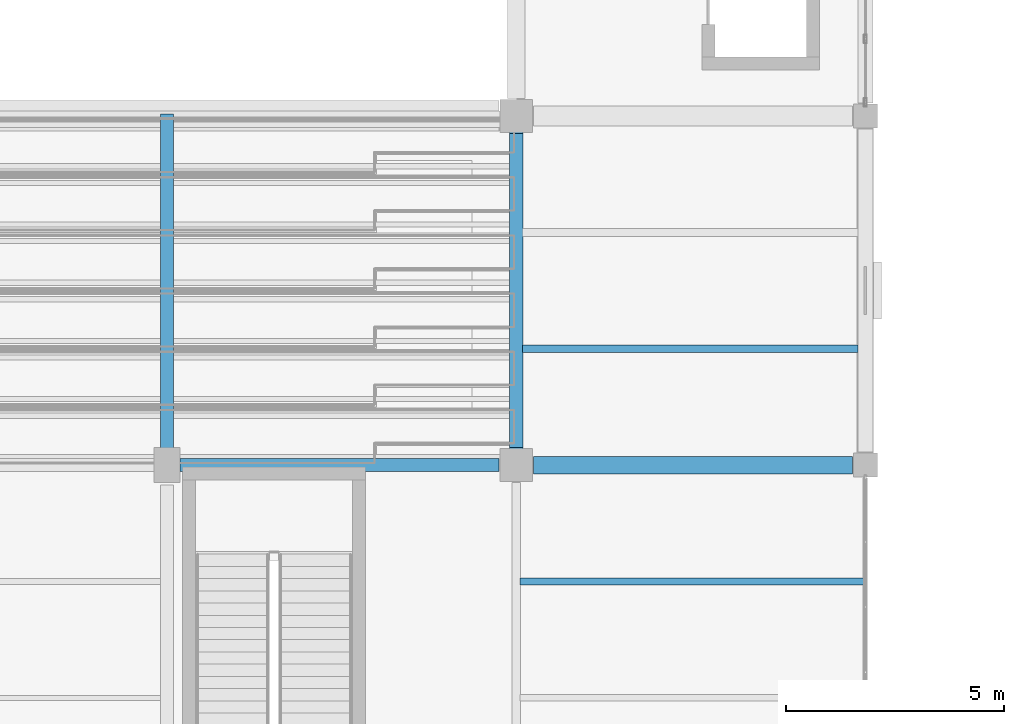
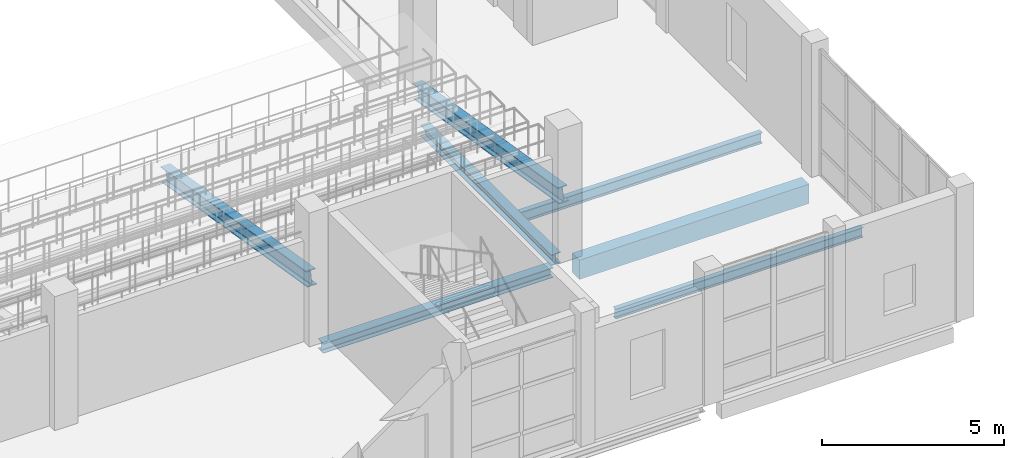
# One storey, part 48 of 183: 7 beams.
"""IFC4 building model written with IfcOpenShell, lengths in metres."""

from ifc_helpers import new_model, si_unit, direction, frame, origin, origin_2d, place, context, subcontext, project, spatial, rectangle, i_section, extrude, material, material_profile, profile_set, type_object, element, save


model = new_model("IFC4")

# Units and contexts
model_context = context("Model", 3, precision=1e-05, world=origin(), true_north=direction((0.0, 1.0)))
body_context = subcontext(model_context, "Body", "Model", "MODEL_VIEW")
ifc_project = project(units=[si_unit("LENGTHUNIT", "METRE"), si_unit("AREAUNIT", "SQUARE_METRE"), si_unit("VOLUMEUNIT", "CUBIC_METRE"), si_unit("PLANEANGLEUNIT", "RADIAN"), si_unit("MASSUNIT", "GRAM", prefix="KILO")], contexts=[model_context])

# Site, building, storey
site_placement = place(None, origin())
site = spatial("IfcSite", under=ifc_project, at=site_placement, CompositionType="ELEMENT")
building_placement = place(site_placement, origin())
building = spatial("IfcBuilding", under=site, at=building_placement, Name="Luwemba Playhouse", CompositionType="ELEMENT")
storey_placement = place(building_placement, frame((0.0, 0.0, 4.800048828125)))
storey = spatial("IfcBuildingStorey", under=building, at=storey_placement, Name="L01", CompositionType="ELEMENT", Elevation=4.800048828125)

# Beams
ifc_material_1 = material(Name="Concrete C40/50", Category="concrete")
ifc_material_profile_1 = material_profile(ifc_material_1, rectangle(XDim=0.39990234375, YDim=0.64990234375, at=origin_2d()))
ifc_profile_set_1 = profile_set([ifc_material_profile_1], Name="Concrete C40/50")
beam_type_1 = type_object("IfcBeamType", Name="BM-RB02", PredefinedType="BEAM", material=ifc_profile_set_1)
beam_1_placement = place(storey_placement, frame((44.39990234375, 44.0, -0.574951171875), z_axis=(1.0, 0.0, 0.0), x_axis=(0.0, 1.0, 0.0)))
element("IfcBeam", 1, at=beam_1_placement, inside=storey, type_object=beam_type_1, Name="L01 grid girder 0350", PredefinedType="BEAM", context=body_context, shape_type="SweptSolid", body=[
    extrude(rectangle(XDim=0.39990234375, YDim=0.64990234375, at=origin_2d()), origin(), (0.0, 0.0, 1.0), 7.300048828125),
])
ifc_material_2 = material(Name="Steel S355", Category="steel")
ifc_material_profile_2 = material_profile(ifc_material_2, i_section(OverallWidth=0.300048828125, OverallDepth=0.5, WebThickness=0.014404296875, FlangeThickness=0.028076171875, FilletRadius=0.027099609375, at=origin_2d()))
ifc_profile_set_2 = profile_set([ifc_material_profile_2], Name="Steel S355")
beam_type_2 = type_object("IfcBeamType", Name="BM-RK3", PredefinedType="USERDEFINED", material=ifc_profile_set_2)
for number, where, z_axis, x_axis, name in (
    (2, (36.0, 44.0, 1.97998046875), (0.0, 0.986395550941, -0.164389224356), (-1.0, 0.0, 0.0), "RAKER girder Dress Circle 09"),
    (3, (44.0, 44.0, 1.97998046875), (0.0, 0.986395550941, -0.164389224356), (-1.0, 0.0, 0.0), "RAKER girder Dress Circle 10"),
):
    element("IfcBeam", number, at=place(storey_placement, frame(where, z_axis=z_axis, x_axis=x_axis)), inside=storey, type_object=beam_type_2, Name=name, ObjectType="RAKER", PredefinedType="USERDEFINED", context=body_context, shape_type="SweptSolid", body=[
        extrude(i_section(OverallWidth=0.300048828125, OverallDepth=0.5, WebThickness=0.014404296875, FlangeThickness=0.028076171875, FilletRadius=0.027099609375, at=origin_2d()), origin(), (0.0, 0.0, 1.0), 8.1103515625),
    ])
ifc_material_profile_3 = material_profile(ifc_material_2, i_section(OverallWidth=0.300048828125, OverallDepth=0.330078125, WebThickness=0.009521484375, FlangeThickness=0.0166015625, FilletRadius=0.027099609375, at=origin_2d()))
ifc_profile_set_3 = profile_set([ifc_material_profile_3], Name="Steel S355")
beam_type_3 = type_object("IfcBeamType", Name="BM-SB04", PredefinedType="BEAM", material=ifc_profile_set_3)
beam_2_placement = place(storey_placement, frame((36.300048828125, 44.0, -0.4150390625), z_axis=(1.0, 0.0, 0.0), x_axis=(0.0, 1.0, 0.0)))
element("IfcBeam", 4, at=beam_2_placement, inside=storey, type_object=beam_type_3, Name="L01 grid girder 0349", PredefinedType="BEAM", context=body_context, shape_type="SweptSolid", body=[
    extrude(i_section(OverallWidth=0.300048828125, OverallDepth=0.330078125, WebThickness=0.009521484375, FlangeThickness=0.0166015625, FilletRadius=0.027099609375, at=origin_2d()), origin(), (0.0, 0.0, 1.0), 7.300048828125),
])
ifc_material_profile_4 = material_profile(ifc_material_2, i_section(OverallWidth=0.300048828125, OverallDepth=0.360107421875, WebThickness=0.012451171875, FlangeThickness=0.0224609375, FilletRadius=0.027099609375, at=origin_2d()))
ifc_profile_set_4 = profile_set([ifc_material_profile_4], Name="Steel S355")
beam_type_4 = type_object("IfcBeamType", Name="BM-SB09", PredefinedType="BEAM", material=ifc_profile_set_4)
beam_3_placement = place(storey_placement, frame((44.0, 44.39990234375, -0.429931640625), z_axis=(0.0, 1.0, 0.0), x_axis=(-1.0, 0.0, 0.0)))
element("IfcBeam", 5, at=beam_3_placement, inside=storey, type_object=beam_type_4, Name="L01 transverse girder 0368", PredefinedType="BEAM", context=body_context, shape_type="SweptSolid", body=[
    extrude(i_section(OverallWidth=0.300048828125, OverallDepth=0.360107421875, WebThickness=0.012451171875, FlangeThickness=0.0224609375, FilletRadius=0.027099609375, at=origin_2d()), origin(), (0.0, 0.0, 1.0), 7.2001953125),
])
ifc_material_profile_5 = material_profile(ifc_material_2, i_section(OverallWidth=0.159912109375, OverallDepth=0.330078125, WebThickness=0.007568359375, FlangeThickness=0.011474609375, FilletRadius=0.01806640625, at=origin_2d()))
ifc_profile_set_5 = profile_set([ifc_material_profile_5], Name="Steel S355")
beam_type_5 = type_object("IfcBeamType", Name="BM-SJ06", PredefinedType="JOIST", material=ifc_profile_set_5)
beam_4_placement = place(storey_placement, frame((44.091064453125, 41.333251953125, -0.4150390625), z_axis=(1.0, 0.0, 0.0), x_axis=(0.0, 1.0, 0.0)))
element("IfcBeam", 6, at=beam_4_placement, inside=storey, type_object=beam_type_5, Name="L01 composite floor joist 0247", PredefinedType="JOIST", context=body_context, shape_type="SweptSolid", body=[
    extrude(i_section(OverallWidth=0.159912109375, OverallDepth=0.330078125, WebThickness=0.007568359375, FlangeThickness=0.011474609375, FilletRadius=0.01806640625, at=origin_2d()), origin(), (0.0, 0.0, 1.0), 7.863037109375),
])
ifc_material_profile_6 = material_profile(ifc_material_2, i_section(OverallWidth=0.169921875, OverallDepth=0.360107421875, WebThickness=0.008056640625, FlangeThickness=0.0126953125, FilletRadius=0.01806640625, at=origin_2d()))
ifc_profile_set_6 = profile_set([ifc_material_profile_6], Name="Steel S355")
beam_type_6 = type_object("IfcBeamType", Name="BM-SJ07", PredefinedType="JOIST", material=ifc_profile_set_6)
beam_5_placement = place(storey_placement, frame((44.14599609375, 46.666748046875, -0.429931640625), z_axis=(1.0, 0.0, 0.0), x_axis=(0.0, 1.0, 0.0)))
element("IfcBeam", 7, at=beam_5_placement, inside=storey, type_object=beam_type_6, Name="L01 composite floor joist 0248", PredefinedType="JOIST", context=body_context, shape_type="SweptSolid", body=[
    extrude(i_section(OverallWidth=0.169921875, OverallDepth=0.360107421875, WebThickness=0.008056640625, FlangeThickness=0.0126953125, FilletRadius=0.01806640625, at=origin_2d()), origin(), (0.0, 0.0, 1.0), 7.68310546875),
])

save(model, "model.ifc")
